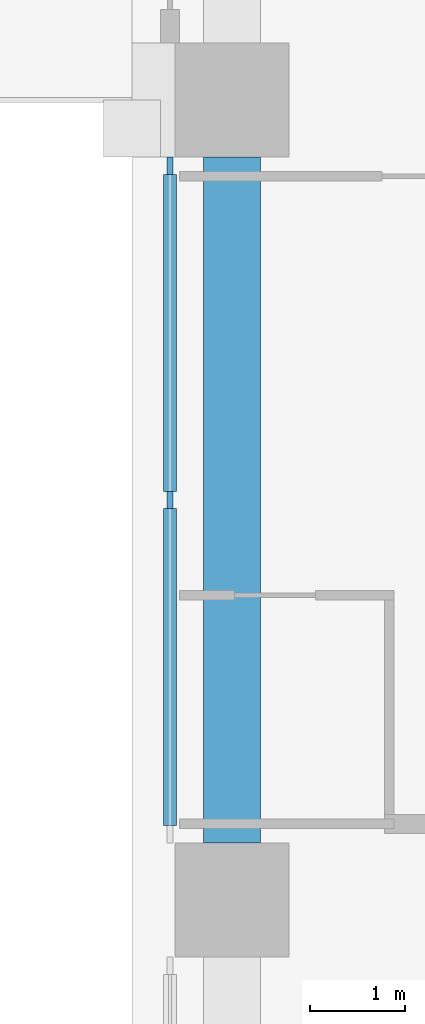
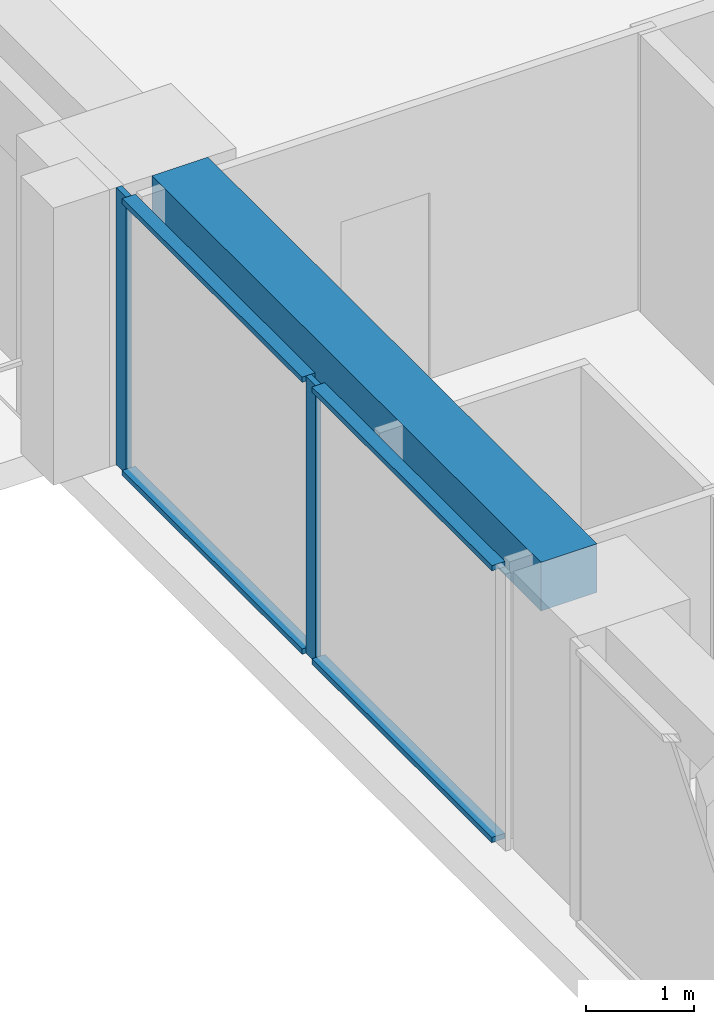
# One storey, part 3 of 17: 6 members, 1 beam, 1 element without a shape of its own.
"""IFC4 building model written with IfcOpenShell, lengths in metres."""

from ifc_helpers import new_model, si_unit, direction, frame, origin, origin_2d, place, context, subcontext, project, spatial, rectangle, extrude, material, material_profile, profile_set, type_object, element, aggregate, save


model = new_model("IFC4")

# Units and contexts
model_context = context("Model", 3, precision=1e-05, world=origin(), true_north=direction((0.0, 1.0)))
body_context = subcontext(model_context, "Body", "Model", "MODEL_VIEW")
ifc_project = project(units=[si_unit("LENGTHUNIT", "METRE"), si_unit("AREAUNIT", "SQUARE_METRE"), si_unit("VOLUMEUNIT", "CUBIC_METRE"), si_unit("PLANEANGLEUNIT", "RADIAN"), si_unit("MASSUNIT", "GRAM", prefix="KILO")], contexts=[model_context])

# Site, building, storey
site_placement = place(None, origin())
site = spatial("IfcSite", under=ifc_project, at=site_placement, CompositionType="ELEMENT")
building_placement = place(site_placement, origin())
building = spatial("IfcBuilding", under=site, at=building_placement, Name="Vermilion Ogive Tower", CompositionType="ELEMENT")
storey_placement = place(building_placement, frame((0.0, 0.0, 87.300048828125)))
storey = spatial("IfcBuildingStorey", under=building, at=storey_placement, Name="L21", CompositionType="ELEMENT", Elevation=87.300048828125)

# Curtain wall, members
ifc_material_1 = material(Name="Low-iron laminated glazing in aluminium frame", Category="aluminium")
curtain_wall_type = type_object("IfcCurtainWallType", Name="Curtain wall CW7", PredefinedType="NOTDEFINED", material=ifc_material_1)
curtain_wall_placement = place(storey_placement, origin())
curtain_wall = element("IfcCurtainWall", 1, at=curtain_wall_placement, inside=storey, type_object=curtain_wall_type, Name="Glazed skin W2", PredefinedType="NOTDEFINED")
ifc_material_2 = material(Name="Aluminium mullion", Category="aluminium")
ifc_material_profile_1 = material_profile(ifc_material_2, rectangle(XDim=0.06005859375, YDim=0.179931640625, at=origin_2d()), Name="AL 60x180")
ifc_profile_set_1 = profile_set([ifc_material_profile_1], Name="Aluminium mullion")
member_type_1 = type_object("IfcMemberType", Name="CW7 mullion 60x180", PredefinedType="MULLION", material=ifc_profile_set_1)
member_1_placement = place(storey_placement, frame((-25.85009765625, 3.510009765625, 0.0), z_axis=(0.0, 0.0, 1.0), x_axis=(1.0, 0.0, 0.0)))
member_1 = element("IfcMember", 2, at=member_1_placement, type_object=member_type_1, Name="CW7-W2 mullion 1", PredefinedType="MULLION", context=body_context, shape_type="SweptSolid", body=[
    extrude(rectangle(XDim=0.06005859375, YDim=0.179931640625, at=origin_2d()), origin(), (0.0, 0.0, 1.0), 3.1298828125),
])
member_2_placement = place(storey_placement, frame((-25.85009765625, 0.0, 0.0), z_axis=(0.0, 0.0, 1.0), x_axis=(1.0, 0.0, 0.0)))
member_2 = element("IfcMember", 3, at=member_2_placement, type_object=member_type_1, Name="CW7-W2 mullion 2", PredefinedType="MULLION", context=body_context, shape_type="SweptSolid", body=[
    extrude(rectangle(XDim=0.06005859375, YDim=0.179931640625, at=origin_2d()), origin(), (0.0, 0.0, 1.0), 3.1298828125),
])
ifc_material_3 = material(Name="Aluminium transom", Category="aluminium")
ifc_material_profile_2 = material_profile(ifc_material_3, rectangle(XDim=0.139892578125, YDim=0.06005859375, at=origin_2d()), Name="AL 60x140")
ifc_profile_set_2 = profile_set([ifc_material_profile_2], Name="Aluminium transom")
member_type_2 = type_object("IfcMemberType", Name="CW7 transom 60x140", PredefinedType="USERDEFINED", material=ifc_profile_set_2)
member_3_placement = place(storey_placement, frame((-25.85009765625, 3.419921875, 0.030029296875), z_axis=(0.0, -1.0, 0.0), x_axis=(1.0, 0.0, 0.0)))
member_3 = element("IfcMember", 4, at=member_3_placement, type_object=member_type_2, Name="CW7-W2 transom 1.1", ObjectType="TRANSOM", PredefinedType="USERDEFINED", context=body_context, shape_type="SweptSolid", body=[
    extrude(rectangle(XDim=0.139892578125, YDim=0.06005859375, at=origin_2d()), origin(), (0.0, 0.0, 1.0), 3.329833984375),
])
member_4_placement = place(storey_placement, frame((-25.85009765625, 3.419921875, 3.099853515625), z_axis=(0.0, -1.0, 0.0), x_axis=(1.0, 0.0, 0.0)))
member_4 = element("IfcMember", 5, at=member_4_placement, type_object=member_type_2, Name="CW7-W2 transom 1.2", ObjectType="TRANSOM", PredefinedType="USERDEFINED", context=body_context, shape_type="SweptSolid", body=[
    extrude(rectangle(XDim=0.139892578125, YDim=0.06005859375, at=origin_2d()), origin(), (0.0, 0.0, 1.0), 3.329833984375),
])
member_5_placement = place(storey_placement, frame((-25.85009765625, -0.090087890625, 0.030029296875), z_axis=(0.0, -1.0, 0.0), x_axis=(1.0, 0.0, 0.0)))
member_5 = element("IfcMember", 6, at=member_5_placement, type_object=member_type_2, Name="CW7-W2 transom 2.1", ObjectType="TRANSOM", PredefinedType="USERDEFINED", context=body_context, shape_type="SweptSolid", body=[
    extrude(rectangle(XDim=0.139892578125, YDim=0.06005859375, at=origin_2d()), origin(), (0.0, 0.0, 1.0), 3.329833984375),
])
member_6_placement = place(storey_placement, frame((-25.85009765625, -0.090087890625, 3.099853515625), z_axis=(0.0, -1.0, 0.0), x_axis=(1.0, 0.0, 0.0)))
member_6 = element("IfcMember", 7, at=member_6_placement, type_object=member_type_2, Name="CW7-W2 transom 2.2", ObjectType="TRANSOM", PredefinedType="USERDEFINED", context=body_context, shape_type="SweptSolid", body=[
    extrude(rectangle(XDim=0.139892578125, YDim=0.06005859375, at=origin_2d()), origin(), (0.0, 0.0, 1.0), 3.329833984375),
])
aggregate(curtain_wall, [member_1, member_2, member_3, member_4, member_5, member_6])

# Beam
ifc_material_4 = material(Name="Concrete B45", Category="concrete")
ifc_material_profile_3 = material_profile(ifc_material_4, rectangle(XDim=0.60009765625, YDim=0.550048828125, at=origin_2d()), Name="600 x 550")
ifc_profile_set_3 = profile_set([ifc_material_profile_3], Name="Concrete B45")
beam_type = type_object("IfcBeamType", Name="Edge beam 600 x 550 B45", PredefinedType="BEAM", material=ifc_profile_set_3)
beam_placement = place(storey_placement, frame((-25.199951171875, 3.60009765625, 2.85498046875), z_axis=(0.0, -1.0, 0.0), x_axis=(1.0, 0.0, 0.0)))
element("IfcBeam", 8, at=beam_placement, inside=storey, type_object=beam_type, Name="L21-EB-15", PredefinedType="BEAM", context=body_context, shape_type="SweptSolid", body=[
    extrude(rectangle(XDim=0.60009765625, YDim=0.550048828125, at=origin_2d()), origin(), (0.0, 0.0, 1.0), 7.2001953125),
])

save(model, "model.ifc")
